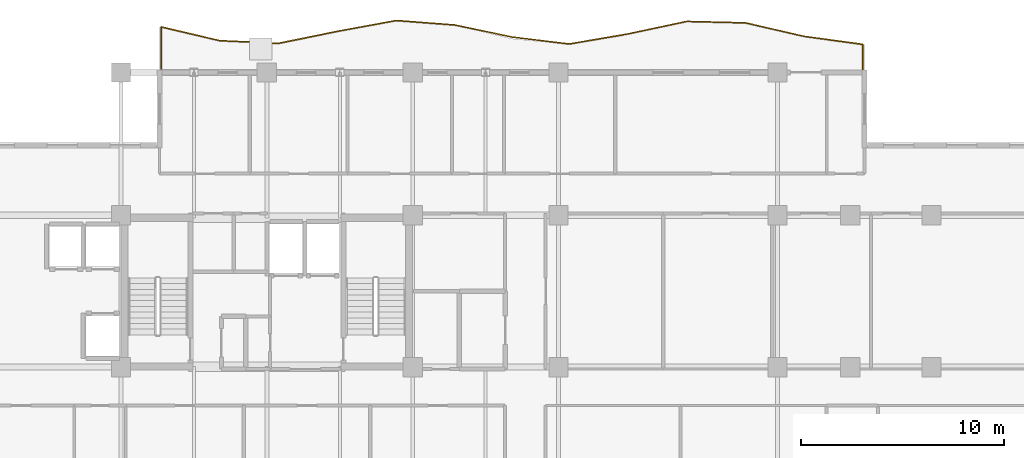
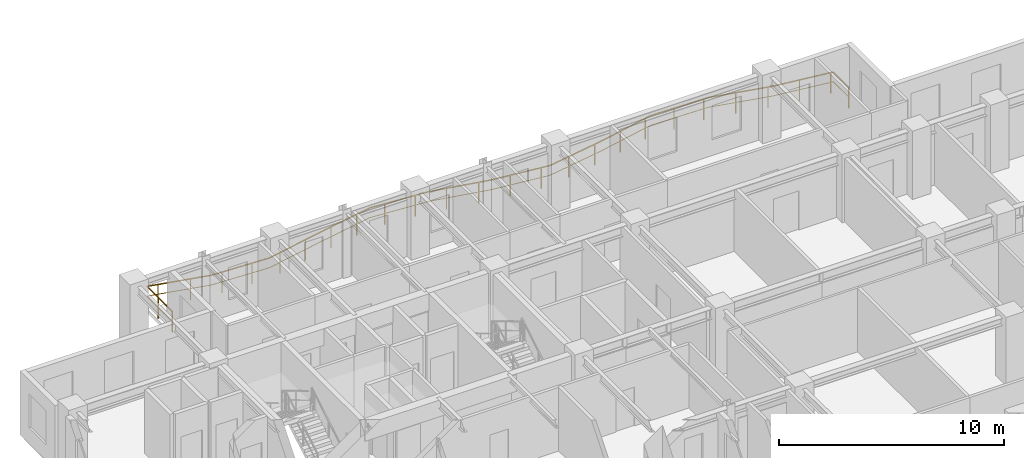
# One storey, part 14 of 14: 1 railing.
"""IFC4 building model written with IfcOpenShell, lengths in metres."""

from ifc_helpers import new_model, si_unit, direction, frame, origin, origin_2d, place, context, subcontext, project, spatial, rectangle, extrude, material, type_object, element, save


model = new_model("IFC4")

# Units and contexts
model_context = context("Model", 3, precision=1e-05, world=origin(), true_north=direction((0.0, 1.0)))
body_context = subcontext(model_context, "Body", "Model", "MODEL_VIEW")
ifc_project = project(units=[si_unit("LENGTHUNIT", "METRE"), si_unit("AREAUNIT", "SQUARE_METRE"), si_unit("VOLUMEUNIT", "CUBIC_METRE"), si_unit("PLANEANGLEUNIT", "RADIAN"), si_unit("MASSUNIT", "GRAM", prefix="KILO")], contexts=[model_context])

# Site, building, storey
site_placement = place(None, origin())
site = spatial("IfcSite", under=ifc_project, at=site_placement, CompositionType="ELEMENT")
building_placement = place(site_placement, origin())
building = spatial("IfcBuilding", under=site, at=building_placement, Name="Kaliganga Portal Commons", CompositionType="ELEMENT")
storey_placement = place(building_placement, frame((0.0, 0.0, 227.699951171875)))
storey = spatial("IfcBuildingStorey", under=building, at=storey_placement, Name="L58", CompositionType="ELEMENT", Elevation=227.699951171875)

# Railing
ifc_material = material(Name="Laminated Safety Glass and Stainless Steel 316", Category="steel")
railing_type = type_object("IfcRailingType", Name="RLG-BAL-1150", PredefinedType="BALUSTRADE", material=ifc_material)
railing_placement = place(storey_placement, frame((51.0205078125, 43.207763671875, 0.0)))
element("IfcRailing", 1, at=railing_placement, inside=storey, type_object=railing_type, Name="Balcony Guardrail L58 balc_north", PredefinedType="BALUSTRADE", context=body_context, shape_type="SweptSolid", body=[
    extrude(rectangle(XDim=0.048095703125, YDim=0.048095703125, at=origin_2d()), frame((0.0, 0.0, 1.1259765625), z_axis=(-0.000354924556, 0.999999937014, 0.0), x_axis=(-0.999999937014, -0.000354924556, 0.0)), (0.0, 0.0, 1.0), 1.375732421875),
    extrude(rectangle(XDim=0.028076171875, YDim=0.028076171875, at=origin_2d()), frame((0.0, 0.0, 0.597900390625), z_axis=(-0.000354924556, 0.999999937014, 0.0), x_axis=(-0.999999937014, -0.000354924556, 0.0)), (0.0, 0.0, 1.0), 1.375732421875),
    extrude(rectangle(XDim=0.048095703125, YDim=0.048095703125, at=origin_2d()), frame((-0.00048828125, 1.375732421875, 1.1259765625), z_axis=(-0.99086060041, 0.134889846006, 0.0), x_axis=(-0.134889846006, -0.99086060041, 0.0)), (0.0, 0.0, 1.0), 2.9267578125),
    extrude(rectangle(XDim=0.028076171875, YDim=0.028076171875, at=origin_2d()), frame((-0.00048828125, 1.375732421875, 0.597900390625), z_axis=(-0.99086060041, 0.134889846006, 0.0), x_axis=(-0.134889846006, -0.99086060041, 0.0)), (0.0, 0.0, 1.0), 2.9267578125),
    extrude(rectangle(XDim=0.048095703125, YDim=0.048095703125, at=origin_2d()), frame((-2.900390625, 1.7705078125, 1.1259765625), z_axis=(-0.974446472687, 0.224619838543, 0.0), x_axis=(-0.224619838543, -0.974446472687, 0.0)), (0.0, 0.0, 1.0), 2.975830078125),
    extrude(rectangle(XDim=0.028076171875, YDim=0.028076171875, at=origin_2d()), frame((-2.900390625, 1.7705078125, 0.597900390625), z_axis=(-0.974446472687, 0.224619838543, 0.0), x_axis=(-0.224619838543, -0.974446472687, 0.0)), (0.0, 0.0, 1.0), 2.975830078125),
    extrude(rectangle(XDim=0.048095703125, YDim=0.048095703125, at=origin_2d()), frame((-5.80029296875, 2.43896484375, 1.1259765625), z_axis=(-0.999706183013, 0.02423938211, 0.0), x_axis=(-0.02423938211, -0.999706183013, 0.0)), (0.0, 0.0, 1.0), 2.900634765625),
    extrude(rectangle(XDim=0.028076171875, YDim=0.028076171875, at=origin_2d()), frame((-5.80029296875, 2.43896484375, 0.597900390625), z_axis=(-0.999706183013, 0.02423938211, 0.0), x_axis=(-0.02423938211, -0.999706183013, 0.0)), (0.0, 0.0, 1.0), 2.900634765625),
    extrude(rectangle(XDim=0.048095703125, YDim=0.048095703125, at=origin_2d()), frame((-8.7001953125, 2.50927734375, 1.1259765625), z_axis=(-0.978046340269, -0.208387514708, 0.0), x_axis=(0.208387514708, -0.978046340269, 0.0)), (0.0, 0.0, 1.0), 2.96533203125),
    extrude(rectangle(XDim=0.028076171875, YDim=0.028076171875, at=origin_2d()), frame((-8.7001953125, 2.50927734375, 0.597900390625), z_axis=(-0.978046340269, -0.208387514708, 0.0), x_axis=(0.208387514708, -0.978046340269, 0.0)), (0.0, 0.0, 1.0), 2.96533203125),
    extrude(rectangle(XDim=0.048095703125, YDim=0.048095703125, at=origin_2d()), frame((-11.600341796875, 1.891357421875, 1.1259765625), z_axis=(-0.985692065133, -0.168556081863, 0.0), x_axis=(0.168556081863, -0.985692065133, 0.0)), (0.0, 0.0, 1.0), 2.941650390625),
    extrude(rectangle(XDim=0.028076171875, YDim=0.028076171875, at=origin_2d()), frame((-11.600341796875, 1.891357421875, 0.597900390625), z_axis=(-0.985692065133, -0.168556081863, 0.0), x_axis=(0.168556081863, -0.985692065133, 0.0)), (0.0, 0.0, 1.0), 2.941650390625),
    extrude(rectangle(XDim=0.048095703125, YDim=0.048095703125, at=origin_2d()), frame((-14.5, 1.3955078125, 1.1259765625), z_axis=(-0.992758024655, 0.120131196959, 0.0), x_axis=(-0.120131196959, -0.992758024655, 0.0)), (0.0, 0.0, 1.0), 2.841064453125),
    extrude(rectangle(XDim=0.028076171875, YDim=0.028076171875, at=origin_2d()), frame((-14.5, 1.3955078125, 0.597900390625), z_axis=(-0.992758024655, 0.120131196959, 0.0), x_axis=(-0.120131196959, -0.992758024655, 0.0)), (0.0, 0.0, 1.0), 2.841064453125),
    extrude(rectangle(XDim=0.048095703125, YDim=0.048095703125, at=origin_2d()), frame((-17.320556640625, 1.73681640625, 1.1259765625), z_axis=(-0.978386930141, 0.206782530525, 0.0), x_axis=(-0.206782530525, -0.978386930141, 0.0)), (0.0, 0.0, 1.0), 2.88427734375),
    extrude(rectangle(XDim=0.028076171875, YDim=0.028076171875, at=origin_2d()), frame((-17.320556640625, 1.73681640625, 0.597900390625), z_axis=(-0.978386930141, 0.206782530525, 0.0), x_axis=(-0.206782530525, -0.978386930141, 0.0)), (0.0, 0.0, 1.0), 2.88427734375),
    extrude(rectangle(XDim=0.048095703125, YDim=0.048095703125, at=origin_2d()), frame((-20.142578125, 2.333251953125, 1.1259765625), z_axis=(-0.99710808201, 0.075996531432, 0.0), x_axis=(-0.075996531432, -0.99710808201, 0.0)), (0.0, 0.0, 1.0), 2.9072265625),
    extrude(rectangle(XDim=0.028076171875, YDim=0.028076171875, at=origin_2d()), frame((-20.142578125, 2.333251953125, 0.597900390625), z_axis=(-0.99710808201, 0.075996531432, 0.0), x_axis=(-0.075996531432, -0.99710808201, 0.0)), (0.0, 0.0, 1.0), 2.9072265625),
    extrude(rectangle(XDim=0.048095703125, YDim=0.048095703125, at=origin_2d()), frame((-23.04150390625, 2.55419921875, 1.1259765625), z_axis=(-0.983342354435, -0.181763070988, 0.0), x_axis=(0.181763070988, -0.983342354435, 0.0)), (0.0, 0.0, 1.0), 2.9482421875),
    extrude(rectangle(XDim=0.028076171875, YDim=0.028076171875, at=origin_2d()), frame((-23.04150390625, 2.55419921875, 0.597900390625), z_axis=(-0.983342354435, -0.181763070988, 0.0), x_axis=(0.181763070988, -0.983342354435, 0.0)), (0.0, 0.0, 1.0), 2.9482421875),
    extrude(rectangle(XDim=0.048095703125, YDim=0.048095703125, at=origin_2d()), frame((-25.940673828125, 2.018310546875, 1.1259765625), z_axis=(-0.979950588379, -0.199240669383, 0.0), x_axis=(0.199240669383, -0.979950588379, 0.0)), (0.0, 0.0, 1.0), 2.959228515625),
    extrude(rectangle(XDim=0.028076171875, YDim=0.028076171875, at=origin_2d()), frame((-25.940673828125, 2.018310546875, 0.597900390625), z_axis=(-0.979950588379, -0.199240669383, 0.0), x_axis=(0.199240669383, -0.979950588379, 0.0)), (0.0, 0.0, 1.0), 2.959228515625),
    extrude(rectangle(XDim=0.048095703125, YDim=0.048095703125, at=origin_2d()), frame((-28.840576171875, 1.4287109375, 1.1259765625), z_axis=(-0.99900974, 0.044492014856, 0.0), x_axis=(-0.044492014856, -0.99900974, 0.0)), (0.0, 0.0, 1.0), 2.90283203125),
    extrude(rectangle(XDim=0.028076171875, YDim=0.028076171875, at=origin_2d()), frame((-28.840576171875, 1.4287109375, 0.597900390625), z_axis=(-0.99900974, 0.044492014856, 0.0), x_axis=(-0.044492014856, -0.99900974, 0.0)), (0.0, 0.0, 1.0), 2.90283203125),
    extrude(rectangle(XDim=0.048095703125, YDim=0.048095703125, at=origin_2d()), frame((-31.740478515625, 1.557861328125, 1.1259765625), z_axis=(-0.973436509491, 0.228957118235, 0.0), x_axis=(-0.228957118235, -0.973436509491, 0.0)), (0.0, 0.0, 1.0), 2.979248046875),
    extrude(rectangle(XDim=0.028076171875, YDim=0.028076171875, at=origin_2d()), frame((-31.740478515625, 1.557861328125, 0.597900390625), z_axis=(-0.973436509491, 0.228957118235, 0.0), x_axis=(-0.228957118235, -0.973436509491, 0.0)), (0.0, 0.0, 1.0), 2.979248046875),
    extrude(rectangle(XDim=0.048095703125, YDim=0.048095703125, at=origin_2d()), frame((-34.640625, 2.239990234375, 1.1259765625), z_axis=(-0.000108991825, -0.99999999406, 0.0), x_axis=(0.99999999406, -0.000108991825, 0.0)), (0.0, 0.0, 1.0), 2.239990234375),
    extrude(rectangle(XDim=0.028076171875, YDim=0.028076171875, at=origin_2d()), frame((-34.640625, 2.239990234375, 0.597900390625), z_axis=(-0.000108991825, -0.99999999406, 0.0), x_axis=(0.99999999406, -0.000108991825, 0.0)), (0.0, 0.0, 1.0), 2.239990234375),
    extrude(rectangle(XDim=0.0419921875, YDim=0.0419921875, at=origin_2d()), origin(), (0.0, 0.0, 1.0), 1.101806640625),
    extrude(rectangle(XDim=0.0419921875, YDim=0.0419921875, at=origin_2d()), frame((-0.12353515625, 1.392578125, 0.0)), (0.0, 0.0, 1.0), 1.101806640625),
    extrude(rectangle(XDim=0.0419921875, YDim=0.0419921875, at=origin_2d()), frame((-1.60986328125, 1.5947265625, 0.0)), (0.0, 0.0, 1.0), 1.101806640625),
    extrude(rectangle(XDim=0.0419921875, YDim=0.0419921875, at=origin_2d()), frame((-3.093017578125, 1.81494140625, 0.0)), (0.0, 0.0, 1.0), 1.101806640625),
    extrude(rectangle(XDim=0.0419921875, YDim=0.0419921875, at=origin_2d()), frame((-4.5546875, 2.15185546875, 0.0)), (0.0, 0.0, 1.0), 1.101806640625),
    extrude(rectangle(XDim=0.0419921875, YDim=0.0419921875, at=origin_2d()), frame((-6.02197265625, 2.4443359375, 0.0)), (0.0, 0.0, 1.0), 1.101806640625),
    extrude(rectangle(XDim=0.0419921875, YDim=0.0419921875, at=origin_2d()), frame((-7.521484375, 2.480712890625, 0.0)), (0.0, 0.0, 1.0), 1.101806640625),
    extrude(rectangle(XDim=0.0419921875, YDim=0.0419921875, at=origin_2d()), frame((-9.01416015625, 2.4423828125, 0.0)), (0.0, 0.0, 1.0), 1.101806640625),
    extrude(rectangle(XDim=0.0419921875, YDim=0.0419921875, at=origin_2d()), frame((-10.481201171875, 2.1298828125, 0.0)), (0.0, 0.0, 1.0), 1.101806640625),
    extrude(rectangle(XDim=0.0419921875, YDim=0.0419921875, at=origin_2d()), frame((-11.950927734375, 1.831298828125, 0.0)), (0.0, 0.0, 1.0), 1.101806640625),
    extrude(rectangle(XDim=0.0419921875, YDim=0.0419921875, at=origin_2d()), frame((-13.429443359375, 1.57861328125, 0.0)), (0.0, 0.0, 1.0), 1.101806640625),
    extrude(rectangle(XDim=0.0419921875, YDim=0.0419921875, at=origin_2d()), frame((-14.910888671875, 1.4453125, 0.0)), (0.0, 0.0, 1.0), 1.101806640625),
    extrude(rectangle(XDim=0.0419921875, YDim=0.0419921875, at=origin_2d()), frame((-16.400146484375, 1.62548828125, 0.0)), (0.0, 0.0, 1.0), 1.101806640625),
    extrude(rectangle(XDim=0.0419921875, YDim=0.0419921875, at=origin_2d()), frame((-17.880859375, 1.855224609375, 0.0)), (0.0, 0.0, 1.0), 1.101806640625),
    extrude(rectangle(XDim=0.0419921875, YDim=0.0419921875, at=origin_2d()), frame((-19.3486328125, 2.16552734375, 0.0)), (0.0, 0.0, 1.0), 1.101806640625),
    extrude(rectangle(XDim=0.0419921875, YDim=0.0419921875, at=origin_2d()), frame((-20.8291015625, 2.385498046875, 0.0)), (0.0, 0.0, 1.0), 1.101806640625),
    extrude(rectangle(XDim=0.0419921875, YDim=0.0419921875, at=origin_2d()), frame((-22.32470703125, 2.49951171875, 0.0)), (0.0, 0.0, 1.0), 1.101806640625),
    extrude(rectangle(XDim=0.0419921875, YDim=0.0419921875, at=origin_2d()), frame((-23.8095703125, 2.412109375, 0.0)), (0.0, 0.0, 1.0), 1.101806640625),
    extrude(rectangle(XDim=0.0419921875, YDim=0.0419921875, at=origin_2d()), frame((-25.28466796875, 2.1396484375, 0.0)), (0.0, 0.0, 1.0), 1.101806640625),
    extrude(rectangle(XDim=0.0419921875, YDim=0.0419921875, at=origin_2d()), frame((-26.7568359375, 1.852294921875, 0.0)), (0.0, 0.0, 1.0), 1.101806640625),
    extrude(rectangle(XDim=0.0419921875, YDim=0.0419921875, at=origin_2d()), frame((-28.226806640625, 1.553466796875, 0.0)), (0.0, 0.0, 1.0), 1.101806640625),
    extrude(rectangle(XDim=0.0419921875, YDim=0.0419921875, at=origin_2d()), frame((-29.71337890625, 1.467529296875, 0.0)), (0.0, 0.0, 1.0), 1.101806640625),
    extrude(rectangle(XDim=0.0419921875, YDim=0.0419921875, at=origin_2d()), frame((-31.2119140625, 1.534423828125, 0.0)), (0.0, 0.0, 1.0), 1.101806640625),
    extrude(rectangle(XDim=0.0419921875, YDim=0.0419921875, at=origin_2d()), frame((-32.685546875, 1.780029296875, 0.0)), (0.0, 0.0, 1.0), 1.101806640625),
    extrude(rectangle(XDim=0.0419921875, YDim=0.0419921875, at=origin_2d()), frame((-34.145751953125, 2.12353515625, 0.0)), (0.0, 0.0, 1.0), 1.101806640625),
    extrude(rectangle(XDim=0.0419921875, YDim=0.0419921875, at=origin_2d()), frame((-34.640625, 1.24853515625, 0.0)), (0.0, 0.0, 1.0), 1.101806640625),
    extrude(rectangle(XDim=0.0419921875, YDim=0.0419921875, at=origin_2d()), frame((-34.640869140625, 0.0, 0.0)), (0.0, 0.0, 1.0), 1.101806640625),
])

save(model, "model.ifc")
